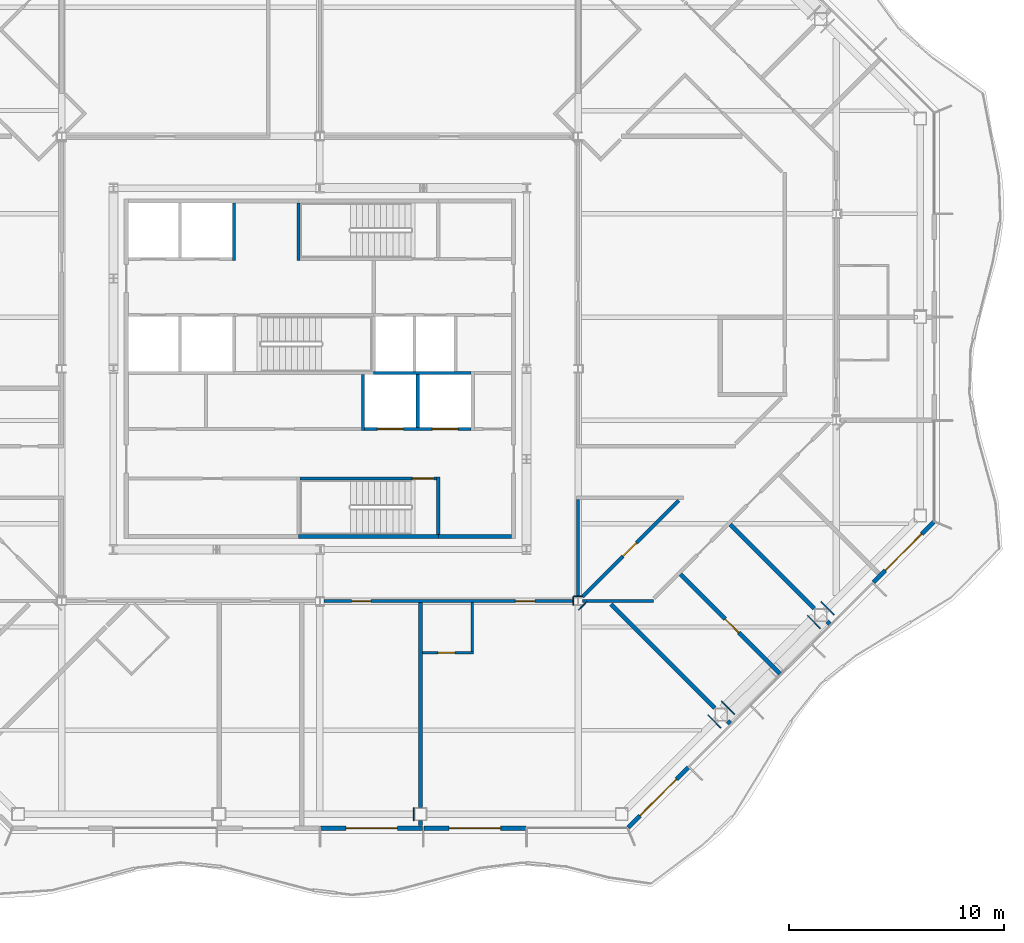
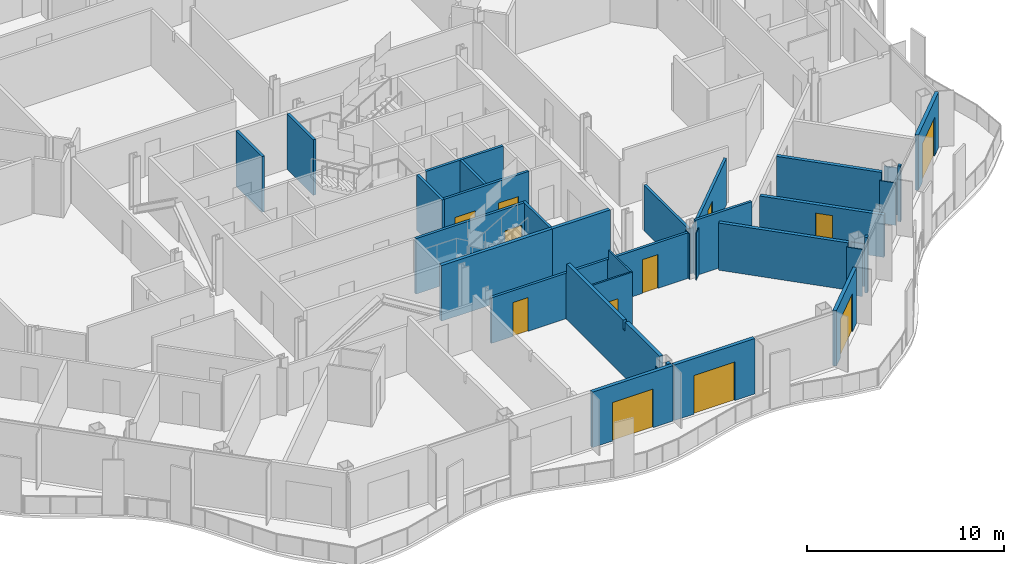
# One storey, part 9 of 21: 35 walls, 12 doors, 12 openings.
"""IFC4 building model written with IfcOpenShell, lengths in metres."""

from ifc_helpers import new_model, si_unit, direction, frame, frame_2d, origin, place, context, subcontext, project, spatial, polyline, rectangle, outline, extrude, material, layer, layer_set, type_object, element, fill, save


model = new_model("IFC4")

# Units and contexts
model_context = context("Model", 3, precision=1e-05, world=origin(), true_north=direction((0.0, 1.0)))
body_context = subcontext(model_context, "Body", "Model", "MODEL_VIEW")
ifc_project = project(units=[si_unit("LENGTHUNIT", "METRE"), si_unit("AREAUNIT", "SQUARE_METRE"), si_unit("VOLUMEUNIT", "CUBIC_METRE"), si_unit("PLANEANGLEUNIT", "RADIAN"), si_unit("MASSUNIT", "GRAM", prefix="KILO")], contexts=[model_context])

# Site, building, storey
site_placement = place(None, origin())
site = spatial("IfcSite", under=ifc_project, at=site_placement, CompositionType="ELEMENT")
building_placement = place(site_placement, origin())
building = spatial("IfcBuilding", under=site, at=building_placement, Name="Cairn Pilgrim Tower", CompositionType="ELEMENT")
storey_placement = place(building_placement, frame((0.0, 0.0, 168.60009765625)))
storey = spatial("IfcBuildingStorey", under=building, at=storey_placement, Name="L42", CompositionType="ELEMENT", Elevation=168.60009765625)

# Wall, opening, door
ifc_material_1 = material(Name="Bronze anodised aluminium insulated sandwich panel with mineral wool fill", Category="aluminium")
ifc_layer_1 = layer(ifc_material_1, 0.199951171875)
ifc_layer_set_1 = layer_set([ifc_layer_1], Name="BRONZE INFILL FRAME WALL 200")
wall_type_1 = type_object("IfcWallType", Name="BRONZE INFILL FRAME WALL 200", PredefinedType="NOTDEFINED", material=ifc_layer_set_1)
wall_1_placement = place(storey_placement, frame((7.22998046875, -18.949951171875, 0.0), z_axis=(0.0, 0.0, 1.0), x_axis=(1.0, 0.0, 0.0)))
wall_1 = element("IfcWall", 1, at=wall_1_placement, inside=storey, type_object=wall_type_1, Name="Bronze infill frame wall IW-S4", PredefinedType="NOTDEFINED", context=body_context, shape_type="SweptSolid", body=[
    extrude(rectangle(XDim=4.739990234375, YDim=0.199951171875, at=frame_2d((2.3701171875, 0.0))), origin(), (0.0, 0.0, 1.0), 3.449951171875),
])
opening_1_placement = place(wall_1_placement, frame((1.17041015625, 0.0, 0.0)))
opening_1 = element("IfcOpeningElement", 2, at=opening_1_placement, cuts=wall_1, Name="Opening 4201B", PredefinedType="OPENING", context=body_context, shape_type="SweptSolid", body=[
    extrude(rectangle(XDim=2.39990234375, YDim=2.39990234375, at=frame_2d((1.199951171875, 1.199951171875))), frame((0.0, 0.10986328125, 0.0), z_axis=(0.0, -1.0, 0.0), x_axis=(1.0, 0.0, 0.0)), (0.0, 0.0, 1.0), 0.219970703125),
])
ifc_material_2 = material(Name="Bronze anodised aluminium frame with tinted low-E glass", Category="aluminium")
door_type_1 = type_object("IfcDoorType", Name="BALCONY SLIDING DOOR 2400x2400", OperationType="DOUBLE_DOOR_SLIDING", PredefinedType="DOOR", material=ifc_material_2)
door_1_placement = place(opening_1_placement, origin())
door_1 = element("IfcDoor", 3, at=door_1_placement, inside=storey, type_object=door_type_1, Name="Balcony sliding door 4201B", OperationType="SINGLE_SWING_LEFT", OverallHeight=2.39990234375, OverallWidth=2.39990234375, PredefinedType="DOOR", context=body_context, shape_type="SweptSolid", body=[
    extrude(rectangle(XDim=2.39990234375, YDim=2.39990234375, at=frame_2d((1.199951171875, 1.199951171875))), frame((0.0, 0.02490234375, 0.0), z_axis=(0.0, -1.0, 0.0), x_axis=(1.0, 0.0, 0.0)), (0.0, 0.0, 1.0), 0.050048828125),
])
fill(opening_1, door_1)

wall_2_placement = place(storey_placement, frame((12.030029296875, -18.949951171875, 0.0), z_axis=(0.0, 0.0, 1.0), x_axis=(1.0, 0.0, 0.0)))
wall_2 = element("IfcWall", 4, at=wall_2_placement, inside=storey, type_object=wall_type_1, Name="Bronze infill frame wall IW-S5", PredefinedType="NOTDEFINED", context=body_context, shape_type="SweptSolid", body=[
    extrude(rectangle(XDim=4.739990234375, YDim=0.199951171875, at=frame_2d((2.3701171875, 0.0))), origin(), (0.0, 0.0, 1.0), 3.449951171875),
])
opening_2_placement = place(wall_2_placement, frame((1.169677734375, 0.0, 0.0)))
opening_2 = element("IfcOpeningElement", 5, at=opening_2_placement, cuts=wall_2, Name="Opening 4202B", PredefinedType="OPENING", context=body_context, shape_type="SweptSolid", body=[
    extrude(rectangle(XDim=2.39990234375, YDim=2.39990234375, at=frame_2d((1.199951171875, 1.199951171875))), frame((0.0, 0.10986328125, 0.0), z_axis=(0.0, -1.0, 0.0), x_axis=(1.0, 0.0, 0.0)), (0.0, 0.0, 1.0), 0.219970703125),
])
door_2_placement = place(opening_2_placement, origin())
door_2 = element("IfcDoor", 6, at=door_2_placement, inside=storey, type_object=door_type_1, Name="Balcony sliding door 4202B", OperationType="SINGLE_SWING_LEFT", OverallHeight=2.39990234375, OverallWidth=2.39990234375, PredefinedType="DOOR", context=body_context, shape_type="SweptSolid", body=[
    extrude(rectangle(XDim=2.39990234375, YDim=2.39990234375, at=frame_2d((1.199951171875, 1.199951171875))), frame((0.0, 0.02490234375, 0.0), z_axis=(0.0, -1.0, 0.0), x_axis=(1.0, 0.0, 0.0)), (0.0, 0.0, 1.0), 0.050048828125),
])
fill(opening_2, door_2)

wall_3_placement = place(storey_placement, frame((21.524658203125, -18.921630859375, 0.0), z_axis=(0.0, 0.0, 1.0), x_axis=(0.707137595296, 0.707075965734, 0.0)))
wall_3 = element("IfcWall", 7, at=wall_3_placement, inside=storey, type_object=wall_type_1, Name="Bronze infill frame wall IW-SE1", PredefinedType="NOTDEFINED", context=body_context, shape_type="SweptSolid", body=[
    extrude(rectangle(XDim=3.96142578125, YDim=0.199951171875, at=frame_2d((1.980712890625, 0.0))), origin(), (0.0, 0.0, 1.0), 3.449951171875),
])
opening_3_placement = place(wall_3_placement, frame((0.775390625, 0.0, 0.0)))
opening_3 = element("IfcOpeningElement", 8, at=opening_3_placement, cuts=wall_3, Name="Opening 4202B2", PredefinedType="OPENING", context=body_context, shape_type="SweptSolid", body=[
    extrude(rectangle(XDim=2.39990234375, YDim=2.39990234375, at=frame_2d((1.199951171875, 1.199951171875))), frame((0.0, 0.10986328125, 0.0), z_axis=(0.0, -1.0, 0.0), x_axis=(1.0, 0.0, 0.0)), (0.0, 0.0, 1.0), 0.219970703125),
])
door_3_placement = place(opening_3_placement, origin())
door_3 = element("IfcDoor", 9, at=door_3_placement, inside=storey, type_object=door_type_1, Name="Balcony sliding door 4202B2", OperationType="SINGLE_SWING_LEFT", OverallHeight=2.39990234375, OverallWidth=2.39990234375, PredefinedType="DOOR", context=body_context, shape_type="SweptSolid", body=[
    extrude(rectangle(XDim=2.39990234375, YDim=2.39990234375, at=frame_2d((1.199951171875, 1.199951171875))), frame((0.0, 0.02490234375, 0.0), z_axis=(0.0, -1.0, 0.0), x_axis=(1.0, 0.0, 0.0)), (0.0, 0.0, 1.0), 0.050048828125),
])
fill(opening_3, door_3)

wall_4_placement = place(storey_placement, frame((32.92041015625, -7.52587890625, 0.0), z_axis=(0.0, 0.0, 1.0), x_axis=(0.707106781187, 0.707106781187, 0.0)))
wall_4 = element("IfcWall", 10, at=wall_4_placement, inside=storey, type_object=wall_type_1, Name="Bronze infill frame wall IW-SE5", PredefinedType="NOTDEFINED", context=body_context, shape_type="SweptSolid", body=[
    extrude(rectangle(XDim=3.961669921875, YDim=0.199951171875, at=frame_2d((1.98095703125, 0.0))), origin(), (0.0, 0.0, 1.0), 3.449951171875),
])
opening_4_placement = place(wall_4_placement, frame((0.785400390625, 0.0, 0.0)))
opening_4 = element("IfcOpeningElement", 11, at=opening_4_placement, cuts=wall_4, Name="Opening 4206B", PredefinedType="OPENING", context=body_context, shape_type="SweptSolid", body=[
    extrude(rectangle(XDim=2.39990234375, YDim=2.39990234375, at=frame_2d((1.199951171875, 1.199951171875))), frame((0.0, 0.10986328125, 0.0), z_axis=(0.0, -1.0, 0.0), x_axis=(1.0, 0.0, 0.0)), (0.0, 0.0, 1.0), 0.219970703125),
])
door_4_placement = place(opening_4_placement, origin())
door_4 = element("IfcDoor", 12, at=door_4_placement, inside=storey, type_object=door_type_1, Name="Balcony sliding door 4206B", OperationType="SINGLE_SWING_LEFT", OverallHeight=2.39990234375, OverallWidth=2.39990234375, PredefinedType="DOOR", context=body_context, shape_type="SweptSolid", body=[
    extrude(rectangle(XDim=2.39990234375, YDim=2.39990234375, at=frame_2d((1.199951171875, 1.199951171875))), frame((0.0, 0.02490234375, 0.0), z_axis=(0.0, -1.0, 0.0), x_axis=(1.0, 0.0, 0.0)), (0.0, 0.0, 1.0), 0.050048828125),
])
fill(opening_4, door_4)

# Wall
ifc_material_3 = material(Name="Concrete C32/40", Category="concrete")
ifc_layer_2 = layer(ifc_material_3, 0.199951171875)
ifc_layer_set_2 = layer_set([ifc_layer_2], Name="CORE OUTER WALL 200 EI 120")
wall_type_2 = type_object("IfcWallType", Name="CORE OUTER WALL 200 EI 120", PredefinedType="SOLIDWALL", material=ifc_layer_set_2)
wall_5_placement = place(storey_placement, frame((12.699951171875, -5.39990234375, 0.0), z_axis=(0.0, 0.0, 1.0), x_axis=(1.0, 0.0, 0.0)))
element("IfcWall", 13, at=wall_5_placement, inside=storey, type_object=wall_type_2, Name="CW:L42:H01-3", PredefinedType="SOLIDWALL", context=body_context, shape_type="SweptSolid", body=[
    extrude(rectangle(XDim=3.400146484375, YDim=0.199951171875, at=frame_2d((1.7001953125, 0.0))), origin(), (0.0, 0.0, 1.0), 3.449951171875),
])

# Wall, openings, doors
ifc_layer_3 = layer(ifc_material_3, 0.14990234375)
ifc_layer_set_3 = layer_set([ifc_layer_3], Name="CORE SHAFT WALL 150 EI 120")
wall_type_3 = type_object("IfcWallType", Name="CORE SHAFT WALL 150 EI 120", PredefinedType="SOLIDWALL", material=ifc_layer_set_3)
wall_6_placement = place(storey_placement, frame((9.27490234375, -0.39990234375, 0.0), z_axis=(0.0, 0.0, 1.0), x_axis=(1.0, 0.0, 0.0)))
wall_6 = element("IfcWall", 14, at=wall_6_placement, inside=storey, type_object=wall_type_3, Name="CW:L42:H05", PredefinedType="SOLIDWALL", context=body_context, shape_type="SweptSolid", body=[
    extrude(rectangle(XDim=4.9501953125, YDim=0.14990234375, at=frame_2d((2.47509765625, 0.0))), origin(), (0.0, 0.0, 1.0), 3.449951171875),
])
opening_5_placement = place(wall_6_placement, frame((0.60009765625, 0.0, 0.0)))
opening_5 = element("IfcOpeningElement", 15, at=opening_5_placement, cuts=wall_6, Name="Opening LD-SV1", PredefinedType="OPENING", context=body_context, shape_type="SweptSolid", body=[
    extrude(rectangle(XDim=1.199951171875, YDim=2.10009765625, at=frame_2d((0.60009765625, 1.050048828125))), frame((0.0, 0.0849609375, 0.0), z_axis=(0.0, -1.0, 0.0), x_axis=(1.0, 0.0, 0.0)), (0.0, 0.0, 1.0), 0.169921875),
])
opening_6_placement = place(wall_6_placement, frame((3.14990234375, 0.0, 0.0)))
opening_6 = element("IfcOpeningElement", 16, at=opening_6_placement, cuts=wall_6, Name="Opening LD-SV2", PredefinedType="OPENING", context=body_context, shape_type="SweptSolid", body=[
    extrude(rectangle(XDim=1.199951171875, YDim=2.10009765625, at=frame_2d((0.60009765625, 1.050048828125))), frame((0.0, 0.0849609375, 0.0), z_axis=(0.0, -1.0, 0.0), x_axis=(1.0, 0.0, 0.0)), (0.0, 0.0, 1.0), 0.169921875),
])
ifc_material_4 = material(Name="Stainless steel", Category="steel")
door_type_2 = type_object("IfcDoorType", Name="LIFT LANDING DOOR 1200x2100", OperationType="DOUBLE_DOOR_SLIDING", PredefinedType="DOOR", material=ifc_material_4)
door_5_placement = place(opening_5_placement, origin())
door_5 = element("IfcDoor", 17, at=door_5_placement, inside=storey, type_object=door_type_2, Name="LANDING DOOR SV1", OperationType="DOUBLE_DOOR_SLIDING", OverallHeight=2.10009765625, OverallWidth=1.199951171875, PredefinedType="DOOR", context=body_context, shape_type="SweptSolid", body=[
    extrude(rectangle(XDim=1.199951171875, YDim=2.10009765625, at=frame_2d((0.60009765625, 1.050048828125))), frame((0.0, 0.02490234375, 0.0), z_axis=(0.0, -1.0, 0.0), x_axis=(1.0, 0.0, 0.0)), (0.0, 0.0, 1.0), 0.050048828125),
])
fill(opening_5, door_5)
door_6_placement = place(opening_6_placement, origin())
door_6 = element("IfcDoor", 18, at=door_6_placement, inside=storey, type_object=door_type_2, Name="LANDING DOOR SV2", OperationType="DOUBLE_DOOR_SLIDING", OverallHeight=2.10009765625, OverallWidth=1.199951171875, PredefinedType="DOOR", context=body_context, shape_type="SweptSolid", body=[
    extrude(rectangle(XDim=1.199951171875, YDim=2.10009765625, at=frame_2d((0.60009765625, 1.050048828125))), frame((0.0, 0.02490234375, 0.0), z_axis=(0.0, -1.0, 0.0), x_axis=(1.0, 0.0, 0.0)), (0.0, 0.0, 1.0), 0.050048828125),
])
fill(opening_6, door_6)

# Walls
wall_7_placement = place(storey_placement, frame((9.699951171875, 2.199951171875, 0.0), z_axis=(0.0, 0.0, 1.0), x_axis=(1.0, 0.0, 0.0)))
element("IfcWall", 19, at=wall_7_placement, inside=storey, type_object=wall_type_3, Name="CW:L42:H07-3", PredefinedType="SOLIDWALL", context=body_context, shape_type="SweptSolid", body=[
    extrude(rectangle(XDim=4.525146484375, YDim=0.14990234375, at=frame_2d((2.2626953125, 0.0))), origin(), (0.0, 0.0, 1.0), 3.449951171875),
])
wall_8_placement = place(storey_placement, frame((3.199951171875, 7.425048828125, 0.0), z_axis=(0.0, 0.0, 1.0), x_axis=(0.0, 1.0, 0.0)))
element("IfcWall", 20, at=wall_8_placement, inside=storey, type_object=wall_type_3, Name="CW:L42:V18", PredefinedType="SOLIDWALL", context=body_context, shape_type="SweptSolid", body=[
    extrude(rectangle(XDim=2.675048828125, YDim=0.14990234375, at=frame_2d((1.33740234375, 0.0))), origin(), (0.0, 0.0, 1.0), 3.449951171875),
])
wall_9_placement = place(storey_placement, frame((9.199951171875, -0.47509765625, 0.0), z_axis=(0.0, 0.0, 1.0), x_axis=(0.0, 1.0, 0.0)))
element("IfcWall", 21, at=wall_9_placement, inside=storey, type_object=wall_type_3, Name="CW:L42:V21", PredefinedType="SOLIDWALL", context=body_context, shape_type="SweptSolid", body=[
    extrude(rectangle(XDim=2.60009765625, YDim=0.14990234375, at=frame_2d((1.300048828125, 0.0))), origin(), (0.0, 0.0, 1.0), 3.449951171875),
])
wall_10_placement = place(storey_placement, frame((11.75, -0.324951171875, 0.0), z_axis=(0.0, 0.0, 1.0), x_axis=(0.0, 1.0, 0.0)))
element("IfcWall", 22, at=wall_10_placement, inside=storey, type_object=wall_type_3, Name="CW:L42:V25", PredefinedType="SOLIDWALL", context=body_context, shape_type="SweptSolid", body=[
    extrude(rectangle(XDim=2.449951171875, YDim=0.14990234375, at=frame_2d((1.22509765625, 0.0))), origin(), (0.0, 0.0, 1.0), 3.449951171875),
])

# Wall, opening, door
ifc_material_5 = material(Name="Gypsum partition")
ifc_layer_4 = layer(ifc_material_5, 0.10009765625)
ifc_layer_set_4 = layer_set([ifc_layer_4], Name="PARTITION 100 DRYWALL")
wall_type_4 = type_object("IfcWallType", Name="PARTITION 100 DRYWALL", PredefinedType="PARTITIONING", material=ifc_layer_set_4)
wall_11_placement = place(storey_placement, frame((11.97607421875, -10.800048828125, 0.0), z_axis=(0.0, 0.0, 1.0), x_axis=(1.0, 0.0, 0.0)))
wall_11 = element("IfcWall", 23, at=wall_11_placement, inside=storey, type_object=wall_type_4, Name="PARTITION W014", PredefinedType="PARTITIONING", context=body_context, shape_type="SweptSolid", body=[
    extrude(rectangle(XDim=2.349853515625, YDim=0.10009765625, at=frame_2d((1.1748046875, 0.0))), origin(), (0.0, 0.0, 1.0), 3.449951171875),
])
opening_7_placement = place(wall_11_placement, frame((0.699951171875, 0.0, 0.0)))
opening_7 = element("IfcOpeningElement", 24, at=opening_7_placement, cuts=wall_11, Name="Opening 4202A", PredefinedType="OPENING", context=body_context, shape_type="SweptSolid", body=[
    extrude(rectangle(XDim=0.800048828125, YDim=2.10009765625, at=frame_2d((0.39990234375, 1.050048828125))), frame((0.0, 0.06005859375, 0.0), z_axis=(0.0, -1.0, 0.0), x_axis=(1.0, 0.0, 0.0)), (0.0, 0.0, 1.0), 0.1201171875),
])
ifc_material_6 = material(Name="Timber door leaf", Category="wood")
door_type_3 = type_object("IfcDoorType", Name="WC DOOR 800x2100", OperationType="NOTDEFINED", PredefinedType="DOOR", material=ifc_material_6)
door_7_placement = place(opening_7_placement, frame((0.800048828125, 0.0, 0.0), z_axis=(0.0, 0.0, 1.0), x_axis=(-1.0, 0.0, 0.0)))
door_7 = element("IfcDoor", 25, at=door_7_placement, inside=storey, type_object=door_type_3, Name="DOOR 4202A", OperationType="SINGLE_SWING_RIGHT", OverallHeight=2.10009765625, OverallWidth=0.800048828125, PredefinedType="DOOR", context=body_context, shape_type="SweptSolid", body=[
    extrude(rectangle(XDim=0.800048828125, YDim=2.10009765625, at=frame_2d((0.39990234375, 1.050048828125))), frame((0.0, 0.02490234375, 0.0), z_axis=(0.0, -1.0, 0.0), x_axis=(1.0, 0.0, 0.0)), (0.0, 0.0, 1.0), 0.050048828125),
])
fill(opening_7, door_7)

# Wall
wall_12_placement = place(storey_placement, frame((14.27587890625, -10.75, 0.0), z_axis=(0.0, 0.0, 1.0), x_axis=(0.0, 1.0, 0.0)))
element("IfcWall", 26, at=wall_12_placement, inside=storey, type_object=wall_type_4, Name="PARTITION W015", PredefinedType="PARTITIONING", context=body_context, shape_type="SweptSolid", body=[
    extrude(outline(polyline([(0.0, 0.0), (2.27490234375, 0.0), (2.27490234375, 2.829833984375), (2.199951171875, 2.829833984375), (2.197998046875, 3.449951171875), (0.0, 3.449951171875), (0.0, 0.0)])), frame((0.0, 0.050048828125, 0.0), z_axis=(0.0, -1.0, 0.0), x_axis=(1.0, 0.0, 0.0)), (0.0, 0.0, 1.0), 0.10009765625),
])

# Wall, openings, doors
ifc_layer_5 = layer(ifc_material_5, 0.14990234375)
ifc_layer_set_5 = layer_set([ifc_layer_5], Name="PARTITION 150 DRYWALL EI 60")
wall_type_5 = type_object("IfcWallType", Name="PARTITION 150 DRYWALL EI 60", PredefinedType="PARTITIONING", material=ifc_layer_set_5)
wall_13_placement = place(storey_placement, frame((7.3994140625, -8.39990234375, 0.0), z_axis=(0.0, 0.0, 1.0), x_axis=(1.0, 0.0, 0.0)))
wall_13 = element("IfcWall", 27, at=wall_13_placement, inside=storey, type_object=wall_type_5, Name="PARTITION W024", PredefinedType="PARTITIONING", context=body_context, shape_type="SweptSolid", body=[
    extrude(rectangle(XDim=11.60107421875, YDim=0.14990234375, at=frame_2d((5.800537109375, 0.0))), origin(), (0.0, 0.0, 1.0), 2.829833984375),
])
opening_8_placement = place(wall_13_placement, frame((1.267578125, 0.0, 0.0)))
opening_8 = element("IfcOpeningElement", 28, at=opening_8_placement, cuts=wall_13, Name="Opening 4201", PredefinedType="OPENING", context=body_context, shape_type="SweptSolid", body=[
    extrude(rectangle(XDim=0.89990234375, YDim=2.10009765625, at=frame_2d((0.449951171875, 1.050048828125))), frame((0.0, 0.0849609375, 0.0), z_axis=(0.0, -1.0, 0.0), x_axis=(1.0, 0.0, 0.0)), (0.0, 0.0, 1.0), 0.169921875),
])
opening_9_placement = place(wall_13_placement, frame((8.888427734375, 0.0, 0.0)))
opening_9 = element("IfcOpeningElement", 29, at=opening_9_placement, cuts=wall_13, Name="Opening 4202", PredefinedType="OPENING", context=body_context, shape_type="SweptSolid", body=[
    extrude(rectangle(XDim=0.89990234375, YDim=2.10009765625, at=frame_2d((0.449951171875, 1.050048828125))), frame((0.0, 0.0849609375, 0.0), z_axis=(0.0, -1.0, 0.0), x_axis=(1.0, 0.0, 0.0)), (0.0, 0.0, 1.0), 0.169921875),
])
door_type_4 = type_object("IfcDoorType", Name="ROOM DOOR 900x2100 FD30S", OperationType="NOTDEFINED", PredefinedType="DOOR", material=ifc_material_6)
door_8_placement = place(opening_9_placement, frame((0.89990234375, 0.0, 0.0), z_axis=(0.0, 0.0, 1.0), x_axis=(-1.0, 0.0, 0.0)))
door_8 = element("IfcDoor", 30, at=door_8_placement, inside=storey, type_object=door_type_4, Name="DOOR 4202", OperationType="SINGLE_SWING_RIGHT", OverallHeight=2.10009765625, OverallWidth=0.89990234375, PredefinedType="DOOR", context=body_context, shape_type="SweptSolid", body=[
    extrude(rectangle(XDim=0.89990234375, YDim=2.10009765625, at=frame_2d((0.449951171875, 1.050048828125))), frame((0.0, 0.02490234375, 0.0), z_axis=(0.0, -1.0, 0.0), x_axis=(1.0, 0.0, 0.0)), (0.0, 0.0, 1.0), 0.050048828125),
])
fill(opening_9, door_8)
door_type_5 = type_object("IfcDoorType", Name="SERVICE DOOR 900x2100 FD30S", OperationType="NOTDEFINED", PredefinedType="DOOR", material=ifc_material_6)
door_9_placement = place(opening_8_placement, frame((0.89990234375, 0.0, 0.0), z_axis=(0.0, 0.0, 1.0), x_axis=(-1.0, 0.0, 0.0)))
door_9 = element("IfcDoor", 31, at=door_9_placement, inside=storey, type_object=door_type_5, Name="DOOR 4201", OperationType="SINGLE_SWING_RIGHT", OverallHeight=2.10009765625, OverallWidth=0.89990234375, PredefinedType="DOOR", context=body_context, shape_type="SweptSolid", body=[
    extrude(rectangle(XDim=0.89990234375, YDim=2.10009765625, at=frame_2d((0.449951171875, 1.050048828125))), frame((0.0, 0.02490234375, 0.0), z_axis=(0.0, -1.0, 0.0), x_axis=(1.0, 0.0, 0.0)), (0.0, 0.0, 1.0), 0.050048828125),
])
fill(opening_8, door_9)

# Walls
wall_14_placement = place(storey_placement, frame((19.3994140625, -8.39990234375, 0.0), z_axis=(0.0, 0.0, 1.0), x_axis=(1.0, 0.0, 0.0)))
element("IfcWall", 32, at=wall_14_placement, inside=storey, type_object=wall_type_5, Name="PARTITION W025", PredefinedType="PARTITIONING", context=body_context, shape_type="SweptSolid", body=[
    extrude(rectangle(XDim=3.300537109375, YDim=0.14990234375, at=frame_2d((1.650390625, 0.0))), origin(), (0.0, 0.0, 1.0), 3.449951171875),
])
wall_15_placement = place(storey_placement, frame((19.199951171875, -8.20361328125, 0.0), z_axis=(0.0, 0.0, 1.0), x_axis=(0.0, 1.0, 0.0)))
element("IfcWall", 33, at=wall_15_placement, inside=storey, type_object=wall_type_5, Name="PARTITION W030", PredefinedType="PARTITIONING", context=body_context, shape_type="SweptSolid", body=[
    extrude(rectangle(XDim=4.528564453125, YDim=0.14990234375, at=frame_2d((2.26416015625, 0.0))), origin(), (0.0, 0.0, 1.0), 2.829833984375),
])

# Wall, opening, door
wall_16_placement = place(storey_placement, frame((19.39794921875, -8.201904296875, 0.0), z_axis=(0.0, 0.0, 1.0), x_axis=(0.707126073897, 0.70708748795, 0.0)))
wall_16 = element("IfcWall", 34, at=wall_16_placement, inside=storey, type_object=wall_type_5, Name="PARTITION W031", PredefinedType="PARTITIONING", context=body_context, shape_type="SweptSolid", body=[
    extrude(rectangle(XDim=6.3271484375, YDim=0.14990234375, at=frame_2d((3.16357421875, 0.0))), origin(), (0.0, 0.0, 1.0), 2.8798828125),
])
opening_10_placement = place(wall_16_placement, frame((2.6640625, 0.0, 0.0)))
opening_10 = element("IfcOpeningElement", 35, at=opening_10_placement, cuts=wall_16, Name="Opening 4227", PredefinedType="OPENING", context=body_context, shape_type="SweptSolid", body=[
    extrude(rectangle(XDim=0.89990234375, YDim=2.10009765625, at=frame_2d((0.449951171875, 1.050048828125))), frame((0.0, 0.0849609375, 0.0), z_axis=(0.0, -1.0, 0.0), x_axis=(1.0, 0.0, 0.0)), (0.0, 0.0, 1.0), 0.169921875),
])
door_10_placement = place(opening_10_placement, origin())
door_10 = element("IfcDoor", 36, at=door_10_placement, inside=storey, type_object=door_type_5, Name="DOOR 4227", OperationType="SINGLE_SWING_RIGHT", OverallHeight=2.10009765625, OverallWidth=0.89990234375, PredefinedType="DOOR", context=body_context, shape_type="SweptSolid", body=[
    extrude(rectangle(XDim=0.89990234375, YDim=2.10009765625, at=frame_2d((0.449951171875, 1.050048828125))), frame((0.0, 0.02490234375, 0.0), z_axis=(0.0, -1.0, 0.0), x_axis=(1.0, 0.0, 0.0)), (0.0, 0.0, 1.0), 0.050048828125),
])
fill(opening_10, door_10)

# Walls
ifc_layer_6 = layer(ifc_material_5, 0.050048828125)
ifc_layer_set_6 = layer_set([ifc_layer_6], Name="PARTITION 50 DRYWALL EI 60")
wall_type_6 = type_object("IfcWallType", Name="PARTITION 50 DRYWALL EI 60", PredefinedType="PARTITIONING", material=ifc_layer_set_6)
wall_17_placement = place(storey_placement, frame((11.55078125, -18.60009765625, 0.0), z_axis=(0.0, 0.0, 1.0), x_axis=(0.0, 1.0, 0.0)))
element("IfcWall", 37, at=wall_17_placement, inside=storey, type_object=wall_type_6, Name="COLUMN CASING WC02", PredefinedType="PARTITIONING", context=body_context, shape_type="SweptSolid", body=[
    extrude(rectangle(XDim=0.60009765625, YDim=0.050048828125, at=frame_2d((0.300048828125, 0.0))), origin(), (0.0, 0.0, 1.0), 2.929931640625),
])
wall_18_placement = place(storey_placement, frame((25.833740234375, -14.29345703125, 0.0), z_axis=(0.0, 0.0, 1.0), x_axis=(-0.706962899457, 0.707250633645, 0.0)))
element("IfcWall", 38, at=wall_18_placement, inside=storey, type_object=wall_type_6, Name="COLUMN CASING WC05", PredefinedType="PARTITIONING", context=body_context, shape_type="SweptSolid", body=[
    extrude(rectangle(XDim=0.848388671875, YDim=0.050048828125, at=frame_2d((0.42431640625, 0.0))), origin(), (0.0, 0.0, 1.0), 2.929931640625),
])
wall_19_placement = place(storey_placement, frame((26.46923828125, -13.657958984375, 0.0), z_axis=(0.0, 0.0, 1.0), x_axis=(-0.707250633645, 0.706962899457, 0.0)))
element("IfcWall", 39, at=wall_19_placement, inside=storey, type_object=wall_type_6, Name="COLUMN CASING WC06", PredefinedType="PARTITIONING", context=body_context, shape_type="SweptSolid", body=[
    extrude(rectangle(XDim=0.848388671875, YDim=0.050048828125, at=frame_2d((0.42431640625, 0.0))), origin(), (0.0, 0.0, 1.0), 2.6298828125),
])
wall_20_placement = place(storey_placement, frame((30.4580078125, -9.669189453125, 0.0), z_axis=(0.0, 0.0, 1.0), x_axis=(-0.707106781187, 0.707106781187, 0.0)))
element("IfcWall", 40, at=wall_20_placement, inside=storey, type_object=wall_type_6, Name="COLUMN CASING WC08", PredefinedType="PARTITIONING", context=body_context, shape_type="SweptSolid", body=[
    extrude(rectangle(XDim=0.8486328125, YDim=0.050048828125, at=frame_2d((0.42431640625, 0.0))), origin(), (0.0, 0.0, 1.0), 2.6298828125),
])
wall_21_placement = place(storey_placement, frame((31.093505859375, -9.03369140625, 0.0), z_axis=(0.0, 0.0, 1.0), x_axis=(-0.707250633645, 0.706962899457, 0.0)))
element("IfcWall", 41, at=wall_21_placement, inside=storey, type_object=wall_type_6, Name="COLUMN CASING WC09", PredefinedType="PARTITIONING", context=body_context, shape_type="SweptSolid", body=[
    extrude(rectangle(XDim=0.848388671875, YDim=0.050048828125, at=frame_2d((0.42431640625, 0.0))), origin(), (0.0, 0.0, 1.0), 2.929931640625),
])
wall_22_placement = place(storey_placement, frame((19.00048828125, -8.178466796875, 0.0), z_axis=(0.0, 0.0, 1.0), x_axis=(1.0, 0.0, 0.0)))
element("IfcWall", 42, at=wall_22_placement, inside=storey, type_object=wall_type_6, Name="COLUMN CASING WC12", PredefinedType="PARTITIONING", context=body_context, shape_type="SweptSolid", body=[
    extrude(rectangle(XDim=0.39892578125, YDim=0.050048828125, at=frame_2d((0.199462890625, 0.0))), origin(), (0.0, 0.0, 1.0), 2.829833984375),
])
wall_23_placement = place(storey_placement, frame((18.9755859375, -8.596435546875, 0.0), z_axis=(0.0, 0.0, 1.0), x_axis=(0.0, 1.0, 0.0)))
element("IfcWall", 43, at=wall_23_placement, inside=storey, type_object=wall_type_6, Name="COLUMN CASING WC15", PredefinedType="PARTITIONING", context=body_context, shape_type="SweptSolid", body=[
    extrude(rectangle(XDim=0.392822265625, YDim=0.050048828125, at=frame_2d((0.1962890625, 0.0))), origin(), (0.0, 0.0, 1.0), 2.829833984375),
])
wall_24_placement = place(storey_placement, frame((19.2177734375, -8.813720703125, 0.0), z_axis=(0.0, 0.0, 1.0), x_axis=(0.707106781187, 0.707106781187, 0.0)))
element("IfcWall", 44, at=wall_24_placement, inside=storey, type_object=wall_type_6, Name="COLUMN CASING WC16", PredefinedType="PARTITIONING", context=body_context, shape_type="SweptSolid", body=[
    extrude(rectangle(XDim=0.56005859375, YDim=0.050048828125, at=frame_2d((0.280029296875, 0.0))), origin(), (0.0, 0.0, 1.0), 2.929931640625),
])
ifc_layer_7 = layer(ifc_material_5, 0.199951171875)
ifc_layer_set_7 = layer_set([ifc_layer_7], Name="SHAFT WALL 200 GYPSUM EI 60")
wall_type_7 = type_object("IfcWallType", Name="SHAFT WALL 200 GYPSUM EI 60", PredefinedType="PARTITIONING", material=ifc_layer_set_7)
wall_25_placement = place(storey_placement, frame((11.8759765625, -18.820068359375, 0.0), z_axis=(0.0, 0.0, 1.0), x_axis=(0.0, 1.0, 0.0)))
element("IfcWall", 45, at=wall_25_placement, inside=storey, type_object=wall_type_7, Name="PARTITION W003", PredefinedType="PARTITIONING", context=body_context, shape_type="SweptSolid", body=[
    extrude(rectangle(XDim=0.219970703125, YDim=0.199951171875, at=frame_2d((0.10986328125, 0.0))), origin(), (0.0, 0.0, 1.0), 3.449951171875),
])
wall_26_placement = place(storey_placement, frame((11.8759765625, -18.0, 0.0), z_axis=(0.0, 0.0, 1.0), x_axis=(0.0, 1.0, 0.0)))
element("IfcWall", 46, at=wall_26_placement, inside=storey, type_object=wall_type_7, Name="PARTITION W005", PredefinedType="PARTITIONING", context=body_context, shape_type="SweptSolid", body=[
    extrude(outline(polyline([(0.0, 0.0), (9.52490234375, 0.0), (9.52490234375, 2.829833984375), (9.449951171875, 2.829833984375), (9.447998046875, 3.449951171875), (3.705078125, 3.449951171875), (3.702880859375, 2.8798828125), (3.4951171875, 2.8798828125), (3.492919921875, 3.449951171875), (0.0, 3.449951171875), (0.0, 0.0)])), frame((0.0, 0.10009765625, 0.0), z_axis=(0.0, -1.0, 0.0), x_axis=(1.0, 0.0, 0.0)), (0.0, 0.0, 1.0), 0.199951171875),
])
wall_27_placement = place(storey_placement, frame((26.268798828125, -14.0927734375, 0.0), z_axis=(0.0, 0.0, 1.0), x_axis=(-0.707106781187, 0.707106781187, 0.0)))
element("IfcWall", 47, at=wall_27_placement, inside=storey, type_object=wall_type_7, Name="PARTITION W008", PredefinedType="PARTITIONING", context=body_context, shape_type="SweptSolid", body=[
    extrude(rectangle(XDim=0.165771484375, YDim=0.199951171875, at=frame_2d((0.0830078125, 0.0))), origin(), (0.0, 0.0, 1.0), 3.449951171875),
])
wall_28_placement = place(storey_placement, frame((25.551513671875, -13.37548828125, 0.0), z_axis=(0.0, 0.0, 1.0), x_axis=(-0.707106781187, 0.707106781187, 0.0)))
element("IfcWall", 48, at=wall_28_placement, inside=storey, type_object=wall_type_7, Name="PARTITION W010", PredefinedType="PARTITIONING", context=body_context, shape_type="SweptSolid", body=[
    extrude(rectangle(XDim=6.830322265625, YDim=0.199951171875, at=frame_2d((3.4150390625, 0.0))), origin(), (0.0, 0.0, 1.0), 2.929931640625),
])

# Wall, opening, door
wall_29_placement = place(storey_placement, frame((28.580810546875, -11.78076171875, 0.0), z_axis=(0.0, 0.0, 1.0), x_axis=(-0.707106781187, 0.707106781187, 0.0)))
wall_29 = element("IfcWall", 49, at=wall_29_placement, inside=storey, type_object=wall_type_7, Name="PARTITION W013", PredefinedType="PARTITIONING", context=body_context, shape_type="SweptSolid", body=[
    extrude(rectangle(XDim=6.549072265625, YDim=0.199951171875, at=frame_2d((3.2744140625, 0.0))), origin(), (0.0, 0.0, 1.0), 2.6298828125),
])
opening_11_placement = place(wall_29_placement, frame((2.70703125, 0.0, 0.0)))
opening_11 = element("IfcOpeningElement", 50, at=opening_11_placement, cuts=wall_29, Name="Opening 4203", PredefinedType="OPENING", context=body_context, shape_type="SweptSolid", body=[
    extrude(rectangle(XDim=0.89990234375, YDim=2.10009765625, at=frame_2d((0.449951171875, 1.050048828125))), frame((0.0, 0.10986328125, 0.0), z_axis=(0.0, -1.0, 0.0), x_axis=(1.0, 0.0, 0.0)), (0.0, 0.0, 1.0), 0.219970703125),
])
door_11_placement = place(opening_11_placement, origin())
door_11 = element("IfcDoor", 51, at=door_11_placement, inside=storey, type_object=door_type_5, Name="DOOR 4203", OperationType="SINGLE_SWING_RIGHT", OverallHeight=2.10009765625, OverallWidth=0.89990234375, PredefinedType="DOOR", context=body_context, shape_type="SweptSolid", body=[
    extrude(rectangle(XDim=0.89990234375, YDim=2.10009765625, at=frame_2d((0.449951171875, 1.050048828125))), frame((0.0, 0.02490234375, 0.0), z_axis=(0.0, -1.0, 0.0), x_axis=(1.0, 0.0, 0.0)), (0.0, 0.0, 1.0), 0.050048828125),
])
fill(opening_11, door_11)

# Walls
wall_30_placement = place(storey_placement, frame((30.892822265625, -9.46875, 0.0), z_axis=(0.0, 0.0, 1.0), x_axis=(-0.707106781187, 0.707106781187, 0.0)))
element("IfcWall", 52, at=wall_30_placement, inside=storey, type_object=wall_type_7, Name="PARTITION W019", PredefinedType="PARTITIONING", context=body_context, shape_type="SweptSolid", body=[
    extrude(rectangle(XDim=0.165771484375, YDim=0.199951171875, at=frame_2d((0.0830078125, 0.0))), origin(), (0.0, 0.0, 1.0), 3.449951171875),
])
wall_31_placement = place(storey_placement, frame((30.175537109375, -8.751708984375, 0.0), z_axis=(0.0, 0.0, 1.0), x_axis=(-0.707084725798, 0.707128835887, 0.0)))
element("IfcWall", 53, at=wall_31_placement, inside=storey, type_object=wall_type_7, Name="PARTITION W021", PredefinedType="PARTITIONING", context=body_context, shape_type="SweptSolid", body=[
    extrude(rectangle(XDim=5.534912109375, YDim=0.199951171875, at=frame_2d((2.767578125, 0.0))), origin(), (0.0, 0.0, 1.0), 2.8798828125),
])

# Wall, opening, door
ifc_material_7 = material(Name="Concrete C35/45", Category="concrete")
ifc_layer_8 = layer(ifc_material_7, 0.14990234375)
ifc_layer_set_8 = layer_set([ifc_layer_8], Name="STAIR SHAFT WALL 150 EI 120")
wall_type_8 = type_object("IfcWallType", Name="STAIR SHAFT WALL 150 EI 120", PredefinedType="SOLIDWALL", material=ifc_layer_set_8)
wall_32_placement = place(storey_placement, frame((6.27490234375, -2.699951171875, 0.0), z_axis=(0.0, 0.0, 1.0), x_axis=(1.0, 0.0, 0.0)))
wall_32 = element("IfcWall", 54, at=wall_32_placement, inside=storey, type_object=wall_type_8, Name="CW:L42:H03", PredefinedType="SOLIDWALL", context=body_context, shape_type="SweptSolid", body=[
    extrude(rectangle(XDim=6.35009765625, YDim=0.14990234375, at=frame_2d((3.175048828125, 0.0))), origin(), (0.0, 0.0, 1.0), 3.449951171875),
])
opening_12_placement = place(wall_32_placement, frame((5.22509765625, 0.0, 0.0)))
opening_12 = element("IfcOpeningElement", 55, at=opening_12_placement, cuts=wall_32, Name="Opening SD-A", PredefinedType="OPENING", context=body_context, shape_type="SweptSolid", body=[
    extrude(rectangle(XDim=1.0, YDim=2.10009765625, at=frame_2d((0.5, 1.050048828125))), frame((0.0, 0.0849609375, 0.0), z_axis=(0.0, -1.0, 0.0), x_axis=(1.0, 0.0, 0.0)), (0.0, 0.0, 1.0), 0.169921875),
])
ifc_material_8 = material(Name="Painted steel", Category="steel")
door_type_6 = type_object("IfcDoorType", Name="STAIR DOOR FD60S 1000x2100", OperationType="SINGLE_SWING_LEFT", PredefinedType="DOOR", material=ifc_material_8)
door_12_placement = place(opening_12_placement, origin())
door_12 = element("IfcDoor", 56, at=door_12_placement, inside=storey, type_object=door_type_6, Name="SD-A", OperationType="SINGLE_SWING_LEFT", OverallHeight=2.10009765625, OverallWidth=1.0, PredefinedType="DOOR", context=body_context, shape_type="SweptSolid", body=[
    extrude(rectangle(XDim=1.0, YDim=2.10009765625, at=frame_2d((0.5, 1.050048828125))), frame((0.0, 0.02490234375, 0.0), z_axis=(0.0, -1.0, 0.0), x_axis=(1.0, 0.0, 0.0)), (0.0, 0.0, 1.0), 0.050048828125),
])
fill(opening_12, door_12)

# Walls
for number, where, z_axis, x_axis, name in (
    (57, (6.199951171875, 7.425048828125, 0.0), (0.0, 0.0, 1.0), (0.0, 1.0, 0.0), "CW:L42:V20"),
    (58, (12.699951171875, -5.300048828125, 0.0), (0.0, 0.0, 1.0), (0.0, 1.0, 0.0), "CW:L42:V26"),
):
    element("IfcWall", number, at=place(storey_placement, frame(where, z_axis=z_axis, x_axis=x_axis)), inside=storey, type_object=wall_type_8, Name=name, PredefinedType="SOLIDWALL", context=body_context, shape_type="SweptSolid", body=[
        extrude(rectangle(XDim=2.675048828125, YDim=0.14990234375, at=frame_2d((1.33740234375, 0.0))), origin(), (0.0, 0.0, 1.0), 3.449951171875),
    ])
ifc_layer_9 = layer(ifc_material_7, 0.199951171875)
ifc_layer_set_9 = layer_set([ifc_layer_9], Name="STAIR SHAFT WALL 200 EI 120")
wall_type_9 = type_object("IfcWallType", Name="STAIR SHAFT WALL 200 EI 120", PredefinedType="SOLIDWALL", material=ifc_layer_set_9)
wall_33_placement = place(storey_placement, frame((6.199951171875, -5.39990234375, 0.0), z_axis=(0.0, 0.0, 1.0), x_axis=(1.0, 0.0, 0.0)))
element("IfcWall", 59, at=wall_33_placement, inside=storey, type_object=wall_type_9, Name="CW:L42:H01-2", PredefinedType="SOLIDWALL", context=body_context, shape_type="SweptSolid", body=[
    extrude(rectangle(XDim=6.5, YDim=0.199951171875, at=frame_2d((3.25, 0.0))), origin(), (0.0, 0.0, 1.0), 3.449951171875),
])

save(model, "model.ifc")
